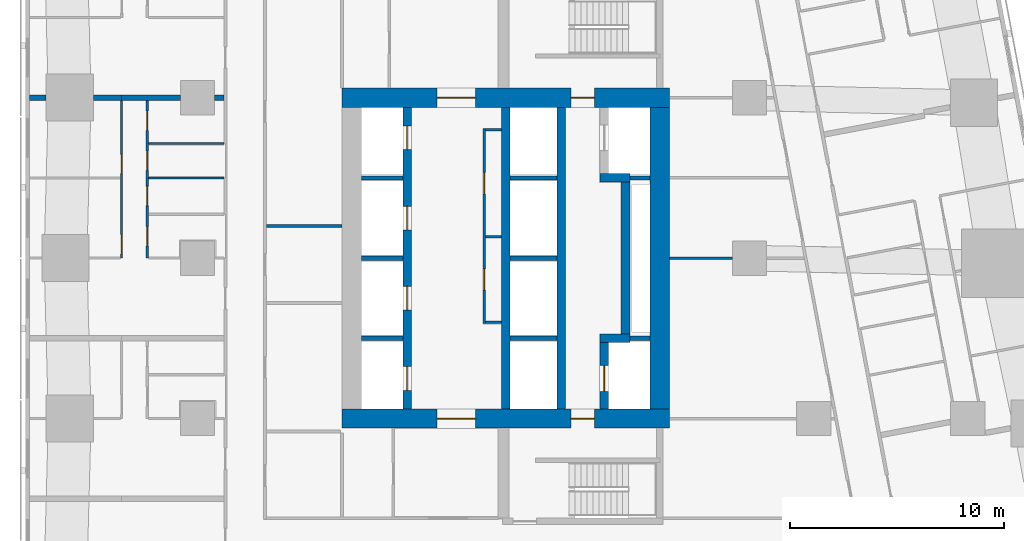
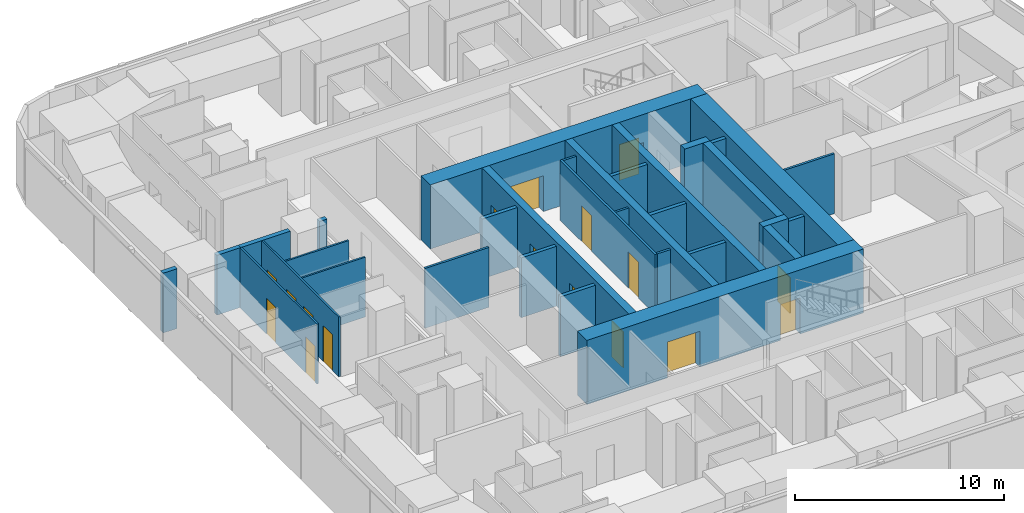
# One storey, part 6 of 16: 32 walls, 17 doors, 17 openings.
"""IFC4 building model written with IfcOpenShell, lengths in metres."""

from ifc_helpers import new_model, si_unit, direction, frame, frame_2d, origin, place, context, subcontext, project, spatial, rectangle, extrude, material, layer, layer_set, type_object, element, fill, save


model = new_model("IFC4")

# Units and contexts
model_context = context("Model", 3, precision=1e-05, world=origin(), true_north=direction((0.0, 1.0)))
body_context = subcontext(model_context, "Body", "Model", "MODEL_VIEW")
ifc_project = project(units=[si_unit("LENGTHUNIT", "METRE"), si_unit("AREAUNIT", "SQUARE_METRE"), si_unit("VOLUMEUNIT", "CUBIC_METRE"), si_unit("PLANEANGLEUNIT", "RADIAN"), si_unit("MASSUNIT", "GRAM", prefix="KILO")], contexts=[model_context])

# Site, building, storey
site_placement = place(None, origin())
site = spatial("IfcSite", under=ifc_project, at=site_placement, CompositionType="ELEMENT")
building_placement = place(site_placement, origin())
building = spatial("IfcBuilding", under=site, at=building_placement, Name="Sheger Commons Tower", CompositionType="ELEMENT")
storey_placement = place(building_placement, frame((0.0, 0.0, 92.89990234375)))
storey = spatial("IfcBuildingStorey", under=building, at=storey_placement, Name="L23", CompositionType="ELEMENT", Elevation=92.89990234375)

# Wall, openings, doors
ifc_material_1 = material(Name="Concrete C50/60", Category="concrete")
ifc_layer_1 = layer(ifc_material_1, 0.39990234375)
ifc_layer_set_1 = layer_set([ifc_layer_1], Name="CORE INNER WALL 400")
wall_type_1 = type_object("IfcWallType", Name="CORE INNER WALL 400", PredefinedType="SHEAR", material=ifc_layer_set_1)
wall_1_placement = place(storey_placement, frame((17.0, 15.449951171875, 0.0), z_axis=(0.0, 0.0, 1.0), x_axis=(0.0, 1.0, 0.0)))
wall_1 = element("IfcWall", 1, at=wall_1_placement, inside=storey, type_object=wall_type_1, Name="Core inner wall A L23", PredefinedType="SHEAR", context=body_context, shape_type="SweptSolid", body=[
    extrude(rectangle(XDim=14.10009765625, YDim=0.39990234375, at=frame_2d((7.050048828125, 0.0))), origin(), (0.0, 0.0, 1.0), 3.75),
])
opening_1_placement = place(wall_1_placement, frame((0.875, 0.0, 0.0)))
opening_1 = element("IfcOpeningElement", 2, at=opening_1_placement, cuts=wall_1, Name="Opening LD", PredefinedType="OPENING", context=body_context, shape_type="SweptSolid", body=[
    extrude(rectangle(XDim=1.10009765625, YDim=2.10009765625, at=frame_2d((0.550048828125, 1.050048828125))), frame((0.0, 0.2099609375, 0.0), z_axis=(0.0, -1.0, 0.0), x_axis=(1.0, 0.0, 0.0)), (0.0, 0.0, 1.0), 0.419921875),
])
opening_2_placement = place(wall_1_placement, frame((4.625, 0.0, 0.0)))
opening_2 = element("IfcOpeningElement", 3, at=opening_2_placement, cuts=wall_1, Name="Opening LD", PredefinedType="OPENING", context=body_context, shape_type="SweptSolid", body=[
    extrude(rectangle(XDim=1.10009765625, YDim=2.10009765625, at=frame_2d((0.550048828125, 1.050048828125))), frame((0.0, 0.2099609375, 0.0), z_axis=(0.0, -1.0, 0.0), x_axis=(1.0, 0.0, 0.0)), (0.0, 0.0, 1.0), 0.419921875),
])
opening_3_placement = place(wall_1_placement, frame((8.375, 0.0, 0.0)))
opening_3 = element("IfcOpeningElement", 4, at=opening_3_placement, cuts=wall_1, Name="Opening LD", PredefinedType="OPENING", context=body_context, shape_type="SweptSolid", body=[
    extrude(rectangle(XDim=1.10009765625, YDim=2.10009765625, at=frame_2d((0.550048828125, 1.050048828125))), frame((0.0, 0.2099609375, 0.0), z_axis=(0.0, -1.0, 0.0), x_axis=(1.0, 0.0, 0.0)), (0.0, 0.0, 1.0), 0.419921875),
])
opening_4_placement = place(wall_1_placement, frame((12.125, 0.0, 0.0)))
opening_4 = element("IfcOpeningElement", 5, at=opening_4_placement, cuts=wall_1, Name="Opening LD", PredefinedType="OPENING", context=body_context, shape_type="SweptSolid", body=[
    extrude(rectangle(XDim=1.10009765625, YDim=2.10009765625, at=frame_2d((0.550048828125, 1.050048828125))), frame((0.0, 0.2099609375, 0.0), z_axis=(0.0, -1.0, 0.0), x_axis=(1.0, 0.0, 0.0)), (0.0, 0.0, 1.0), 0.419921875),
])
ifc_material_2 = material(Name="Steel door set, fire rated", Category="steel")
door_type_1 = type_object("IfcDoorType", Name="LIFT LANDING DOOR 1100x2100", OperationType="DOUBLE_DOOR_SLIDING", PredefinedType="DOOR", material=ifc_material_2)
door_1_placement = place(opening_1_placement, origin())
door_1 = element("IfcDoor", 6, at=door_1_placement, inside=storey, type_object=door_type_1, Name="Lift LA1 landing door", OperationType="DOUBLE_DOOR_SLIDING", OverallHeight=2.10009765625, OverallWidth=1.10009765625, PredefinedType="DOOR", context=body_context, shape_type="SweptSolid", body=[
    extrude(rectangle(XDim=1.10009765625, YDim=2.10009765625, at=frame_2d((0.550048828125, 1.050048828125))), frame((0.0, 0.02490234375, 0.0), z_axis=(0.0, -1.0, 0.0), x_axis=(1.0, 0.0, 0.0)), (0.0, 0.0, 1.0), 0.050048828125),
])
fill(opening_1, door_1)
door_2_placement = place(opening_2_placement, origin())
door_2 = element("IfcDoor", 7, at=door_2_placement, inside=storey, type_object=door_type_1, Name="Lift LA2 landing door", OperationType="DOUBLE_DOOR_SLIDING", OverallHeight=2.10009765625, OverallWidth=1.10009765625, PredefinedType="DOOR", context=body_context, shape_type="SweptSolid", body=[
    extrude(rectangle(XDim=1.10009765625, YDim=2.10009765625, at=frame_2d((0.550048828125, 1.050048828125))), frame((0.0, 0.02490234375, 0.0), z_axis=(0.0, -1.0, 0.0), x_axis=(1.0, 0.0, 0.0)), (0.0, 0.0, 1.0), 0.050048828125),
])
fill(opening_2, door_2)
door_3_placement = place(opening_3_placement, origin())
door_3 = element("IfcDoor", 8, at=door_3_placement, inside=storey, type_object=door_type_1, Name="Lift LA3 landing door", OperationType="DOUBLE_DOOR_SLIDING", OverallHeight=2.10009765625, OverallWidth=1.10009765625, PredefinedType="DOOR", context=body_context, shape_type="SweptSolid", body=[
    extrude(rectangle(XDim=1.10009765625, YDim=2.10009765625, at=frame_2d((0.550048828125, 1.050048828125))), frame((0.0, 0.02490234375, 0.0), z_axis=(0.0, -1.0, 0.0), x_axis=(1.0, 0.0, 0.0)), (0.0, 0.0, 1.0), 0.050048828125),
])
fill(opening_3, door_3)
door_4_placement = place(opening_4_placement, origin())
door_4 = element("IfcDoor", 9, at=door_4_placement, inside=storey, type_object=door_type_1, Name="Lift LA4 landing door", OperationType="DOUBLE_DOOR_SLIDING", OverallHeight=2.10009765625, OverallWidth=1.10009765625, PredefinedType="DOOR", context=body_context, shape_type="SweptSolid", body=[
    extrude(rectangle(XDim=1.10009765625, YDim=2.10009765625, at=frame_2d((0.550048828125, 1.050048828125))), frame((0.0, 0.02490234375, 0.0), z_axis=(0.0, -1.0, 0.0), x_axis=(1.0, 0.0, 0.0)), (0.0, 0.0, 1.0), 0.050048828125),
])
fill(opening_4, door_4)

# Walls
for number, where, z_axis, x_axis, name in (
    (10, (21.60009765625, 15.449951171875, 0.0), (0.0, 0.0, 1.0), (0.0, 1.0, 0.0), "Core inner wall L L23"),
    (11, (24.199951171875, 15.449951171875, 0.0), (0.0, 0.0, 1.0), (0.0, 1.0, 0.0), "Core inner wall B L23"),
):
    element("IfcWall", number, at=place(storey_placement, frame(where, z_axis=z_axis, x_axis=x_axis)), inside=storey, type_object=wall_type_1, Name=name, PredefinedType="SHEAR", context=body_context, shape_type="SweptSolid", body=[
        extrude(rectangle(XDim=14.10009765625, YDim=0.39990234375, at=frame_2d((7.050048828125, 0.0))), origin(), (0.0, 0.0, 1.0), 3.75),
    ])

# Wall, opening, door
wall_2_placement = place(storey_placement, frame((26.199951171875, 15.449951171875, 0.0), z_axis=(0.0, 0.0, 1.0), x_axis=(0.0, 1.0, 0.0)))
wall_2 = element("IfcWall", 12, at=wall_2_placement, inside=storey, type_object=wall_type_1, Name="Core inner wall F L23", PredefinedType="SHEAR", context=body_context, shape_type="SweptSolid", body=[
    extrude(rectangle(XDim=3.10009765625, YDim=0.39990234375, at=frame_2d((1.550048828125, 0.0))), origin(), (0.0, 0.0, 1.0), 3.75),
])
opening_5_placement = place(wall_2_placement, frame((0.824951171875, 0.0, 0.0)))
opening_5 = element("IfcOpeningElement", 13, at=opening_5_placement, cuts=wall_2, Name="Opening LD2", PredefinedType="OPENING", context=body_context, shape_type="SweptSolid", body=[
    extrude(rectangle(XDim=1.199951171875, YDim=2.10009765625, at=frame_2d((0.60009765625, 1.050048828125))), frame((0.0, 0.2099609375, 0.0), z_axis=(0.0, -1.0, 0.0), x_axis=(1.0, 0.0, 0.0)), (0.0, 0.0, 1.0), 0.419921875),
])
ifc_material_3 = material(Name="Steel door set, fire rated", Category="steel")
door_type_2 = type_object("IfcDoorType", Name="FIREFIGHTING LIFT LANDING DOOR 1200x2100", OperationType="DOUBLE_DOOR_SLIDING", PredefinedType="DOOR", material=ifc_material_3)
door_5_placement = place(opening_5_placement, origin())
door_5 = element("IfcDoor", 14, at=door_5_placement, inside=storey, type_object=door_type_2, Name="Lift FL1 landing door", OperationType="DOUBLE_DOOR_SLIDING", OverallHeight=2.10009765625, OverallWidth=1.199951171875, PredefinedType="DOOR", context=body_context, shape_type="SweptSolid", body=[
    extrude(rectangle(XDim=1.199951171875, YDim=2.10009765625, at=frame_2d((0.60009765625, 1.050048828125))), frame((0.0, 0.02490234375, 0.0), z_axis=(0.0, -1.0, 0.0), x_axis=(1.0, 0.0, 0.0)), (0.0, 0.0, 1.0), 0.050048828125),
])
fill(opening_5, door_5)

# Walls
wall_3_placement = place(storey_placement, frame((26.0, 18.75, 0.0), z_axis=(0.0, 0.0, 1.0), x_axis=(1.0, 0.0, 0.0)))
element("IfcWall", 15, at=wall_3_placement, inside=storey, type_object=wall_type_1, Name="Core inner wall F south return L23", PredefinedType="SHEAR", context=body_context, shape_type="SweptSolid", body=[
    extrude(rectangle(XDim=1.39990234375, YDim=0.39990234375, at=frame_2d((0.699951171875, 0.0))), origin(), (0.0, 0.0, 1.0), 3.75),
])
wall_4_placement = place(storey_placement, frame((27.199951171875, 18.949951171875, 0.0), z_axis=(0.0, 0.0, 1.0), x_axis=(0.0, 1.0, 0.0)))
element("IfcWall", 16, at=wall_4_placement, inside=storey, type_object=wall_type_1, Name="Core inner wall F middle L23", PredefinedType="SHEAR", context=body_context, shape_type="SweptSolid", body=[
    extrude(rectangle(XDim=7.10009765625, YDim=0.39990234375, at=frame_2d((3.550048828125, 0.0))), origin(), (0.0, 0.0, 1.0), 3.75),
])
wall_5_placement = place(storey_placement, frame((26.0, 26.25, 0.0), z_axis=(0.0, 0.0, 1.0), x_axis=(1.0, 0.0, 0.0)))
element("IfcWall", 17, at=wall_5_placement, inside=storey, type_object=wall_type_1, Name="Core inner wall F north return L23", PredefinedType="SHEAR", context=body_context, shape_type="SweptSolid", body=[
    extrude(rectangle(XDim=1.39990234375, YDim=0.39990234375, at=frame_2d((0.699951171875, 0.0))), origin(), (0.0, 0.0, 1.0), 3.75),
])

# Wall, openings, doors
ifc_material_4 = material(Name="Concrete C50/60", Category="concrete")
ifc_layer_2 = layer(ifc_material_4, 0.89990234375)
ifc_layer_set_2 = layer_set([ifc_layer_2], Name="CORE WALL 900")
wall_type_2 = type_object("IfcWallType", Name="CORE WALL 900", PredefinedType="SHEAR", material=ifc_layer_set_2)
wall_6_placement = place(storey_placement, frame((13.949951171875, 15.0, 0.0), z_axis=(0.0, 0.0, 1.0), x_axis=(1.0, 0.0, 0.0)))
wall_6 = element("IfcWall", 18, at=wall_6_placement, inside=storey, type_object=wall_type_2, Name="Core wall south L23", PredefinedType="SHEAR", context=body_context, shape_type="SweptSolid", body=[
    extrude(rectangle(XDim=15.300048828125, YDim=0.89990234375, at=frame_2d((7.64990234375, 0.0))), origin(), (0.0, 0.0, 1.0), 3.75),
])
opening_6_placement = place(wall_6_placement, frame((4.449951171875, 0.0, 0.0)))
opening_6 = element("IfcOpeningElement", 19, at=opening_6_placement, cuts=wall_6, Name="Opening D6", PredefinedType="OPENING", context=body_context, shape_type="SweptSolid", body=[
    extrude(rectangle(XDim=1.800048828125, YDim=2.10009765625, at=frame_2d((0.89990234375, 1.050048828125))), frame((0.0, 0.4599609375, 0.0), z_axis=(0.0, -1.0, 0.0), x_axis=(1.0, 0.0, 0.0)), (0.0, 0.0, 1.0), 0.919921875),
])
opening_7_placement = place(wall_6_placement, frame((10.699951171875, 0.0, 0.0)))
opening_7 = element("IfcOpeningElement", 20, at=opening_7_placement, cuts=wall_6, Name="Opening D5", PredefinedType="OPENING", context=body_context, shape_type="SweptSolid", body=[
    extrude(rectangle(XDim=1.10009765625, YDim=2.10009765625, at=frame_2d((0.550048828125, 1.050048828125))), frame((0.0, 0.4599609375, 0.0), z_axis=(0.0, -1.0, 0.0), x_axis=(1.0, 0.0, 0.0)), (0.0, 0.0, 1.0), 0.919921875),
])
ifc_material_5 = material(Name="Steel door set, fire rated", Category="steel")
door_type_3 = type_object("IfcDoorType", Name="LOBBY DOUBLE DOOR 1800x2100", OperationType="DOUBLE_DOOR_SINGLE_SWING", PredefinedType="DOOR", material=ifc_material_5)
door_6_placement = place(opening_6_placement, origin())
door_6 = element("IfcDoor", 21, at=door_6_placement, inside=storey, type_object=door_type_3, Name="Lift lobby door", OperationType="DOUBLE_DOOR_SINGLE_SWING", OverallHeight=2.10009765625, OverallWidth=1.800048828125, PredefinedType="DOOR", context=body_context, shape_type="SweptSolid", body=[
    extrude(rectangle(XDim=1.800048828125, YDim=2.10009765625, at=frame_2d((0.89990234375, 1.050048828125))), frame((0.0, 0.02490234375, 0.0), z_axis=(0.0, -1.0, 0.0), x_axis=(1.0, 0.0, 0.0)), (0.0, 0.0, 1.0), 0.050048828125),
])
fill(opening_6, door_6)
ifc_material_6 = material(Name="Steel door set, fire rated", Category="steel")
door_type_4 = type_object("IfcDoorType", Name="STAIR DOOR 1100x2100", OperationType="NOTDEFINED", PredefinedType="DOOR", material=ifc_material_6)
door_7_placement = place(opening_7_placement, origin())
door_7 = element("IfcDoor", 22, at=door_7_placement, inside=storey, type_object=door_type_4, Name="Fire-fighting lobby door", OperationType="SINGLE_SWING_LEFT", OverallHeight=2.10009765625, OverallWidth=1.10009765625, PredefinedType="DOOR", context=body_context, shape_type="SweptSolid", body=[
    extrude(rectangle(XDim=1.10009765625, YDim=2.10009765625, at=frame_2d((0.550048828125, 1.050048828125))), frame((0.0, 0.02490234375, 0.0), z_axis=(0.0, -1.0, 0.0), x_axis=(1.0, 0.0, 0.0)), (0.0, 0.0, 1.0), 0.050048828125),
])
fill(opening_7, door_7)

wall_7_placement = place(storey_placement, frame((13.949951171875, 30.0, 0.0), z_axis=(0.0, 0.0, 1.0), x_axis=(1.0, 0.0, 0.0)))
wall_7 = element("IfcWall", 23, at=wall_7_placement, inside=storey, type_object=wall_type_2, Name="Core wall north L23", PredefinedType="SHEAR", context=body_context, shape_type="SweptSolid", body=[
    extrude(rectangle(XDim=15.300048828125, YDim=0.89990234375, at=frame_2d((7.64990234375, 0.0))), origin(), (0.0, 0.0, 1.0), 3.75),
])
opening_8_placement = place(wall_7_placement, frame((4.449951171875, 0.0, 0.0)))
opening_8 = element("IfcOpeningElement", 24, at=opening_8_placement, cuts=wall_7, Name="Opening D6", PredefinedType="OPENING", context=body_context, shape_type="SweptSolid", body=[
    extrude(rectangle(XDim=1.800048828125, YDim=2.10009765625, at=frame_2d((0.89990234375, 1.050048828125))), frame((0.0, 0.4599609375, 0.0), z_axis=(0.0, -1.0, 0.0), x_axis=(1.0, 0.0, 0.0)), (0.0, 0.0, 1.0), 0.919921875),
])
opening_9_placement = place(wall_7_placement, frame((10.699951171875, 0.0, 0.0)))
opening_9 = element("IfcOpeningElement", 25, at=opening_9_placement, cuts=wall_7, Name="Opening D5", PredefinedType="OPENING", context=body_context, shape_type="SweptSolid", body=[
    extrude(rectangle(XDim=1.10009765625, YDim=2.10009765625, at=frame_2d((0.550048828125, 1.050048828125))), frame((0.0, 0.4599609375, 0.0), z_axis=(0.0, -1.0, 0.0), x_axis=(1.0, 0.0, 0.0)), (0.0, 0.0, 1.0), 0.919921875),
])
door_8_placement = place(opening_8_placement, origin())
door_8 = element("IfcDoor", 26, at=door_8_placement, inside=storey, type_object=door_type_3, Name="Lift lobby door", OperationType="DOUBLE_DOOR_SINGLE_SWING", OverallHeight=2.10009765625, OverallWidth=1.800048828125, PredefinedType="DOOR", context=body_context, shape_type="SweptSolid", body=[
    extrude(rectangle(XDim=1.800048828125, YDim=2.10009765625, at=frame_2d((0.89990234375, 1.050048828125))), frame((0.0, 0.02490234375, 0.0), z_axis=(0.0, -1.0, 0.0), x_axis=(1.0, 0.0, 0.0)), (0.0, 0.0, 1.0), 0.050048828125),
])
fill(opening_8, door_8)
door_9_placement = place(opening_9_placement, origin())
door_9 = element("IfcDoor", 27, at=door_9_placement, inside=storey, type_object=door_type_4, Name="Fire-fighting lobby door", OperationType="SINGLE_SWING_LEFT", OverallHeight=2.10009765625, OverallWidth=1.10009765625, PredefinedType="DOOR", context=body_context, shape_type="SweptSolid", body=[
    extrude(rectangle(XDim=1.10009765625, YDim=2.10009765625, at=frame_2d((0.550048828125, 1.050048828125))), frame((0.0, 0.02490234375, 0.0), z_axis=(0.0, -1.0, 0.0), x_axis=(1.0, 0.0, 0.0)), (0.0, 0.0, 1.0), 0.050048828125),
])
fill(opening_9, door_9)

# Walls
wall_8_placement = place(storey_placement, frame((28.800048828125, 15.449951171875, 0.0), z_axis=(0.0, 0.0, 1.0), x_axis=(0.0, 1.0, 0.0)))
element("IfcWall", 28, at=wall_8_placement, inside=storey, type_object=wall_type_2, Name="Core wall east L23", PredefinedType="SHEAR", context=body_context, shape_type="SweptSolid", body=[
    extrude(rectangle(XDim=14.10009765625, YDim=0.89990234375, at=frame_2d((7.050048828125, 0.0))), origin(), (0.0, 0.0, 1.0), 3.75),
])
ifc_material_7 = material(Name="Dense concrete block masonry, plastered both sides (separating wall between flats)", Category="masonry")
ifc_layer_3 = layer(ifc_material_7, 0.25)
ifc_layer_set_3 = layer_set([ifc_layer_3], Name="DEMISING WALL 250")
wall_type_3 = type_object("IfcWallType", Name="DEMISING WALL 250", PredefinedType="SOLIDWALL", material=ifc_layer_set_3)
wall_9_placement = place(storey_placement, frame((-0.64990234375, 30.0, 0.0), z_axis=(0.0, 0.0, 1.0), x_axis=(1.0, 0.0, 0.0)))
element("IfcWall", 29, at=wall_9_placement, inside=storey, type_object=wall_type_3, Name="Demising wall L23", PredefinedType="SOLIDWALL", context=body_context, shape_type="SweptSolid", body=[
    extrude(rectangle(XDim=0.77392578125, YDim=0.25, at=frame_2d((0.386962890625, 0.0))), origin(), (0.0, 0.0, 1.0), 3.5),
])
wall_10_placement = place(storey_placement, frame((2.325927734375, 30.0, 0.0), z_axis=(0.0, 0.0, 1.0), x_axis=(1.0, 0.0, 0.0)))
element("IfcWall", 30, at=wall_10_placement, inside=storey, type_object=wall_type_3, Name="Demising wall L23", PredefinedType="SOLIDWALL", context=body_context, shape_type="SweptSolid", body=[
    extrude(rectangle(XDim=1.323974609375, YDim=0.25, at=frame_2d((0.662109375, 0.0))), origin(), (0.0, 0.0, 1.0), 3.5),
])
wall_11_placement = place(storey_placement, frame((3.64990234375, 30.0, 0.0), z_axis=(0.0, 0.0, 1.0), x_axis=(1.0, 0.0, 0.0)))
element("IfcWall", 31, at=wall_11_placement, inside=storey, type_object=wall_type_3, Name="Demising wall L23", PredefinedType="SOLIDWALL", context=body_context, shape_type="SweptSolid", body=[
    extrude(rectangle(XDim=2.7490234375, YDim=0.25, at=frame_2d((1.37451171875, 0.0))), origin(), (0.0, 0.0, 1.0), 3.5),
])
wall_12_placement = place(storey_placement, frame((8.0009765625, 30.0, 0.0), z_axis=(0.0, 0.0, 1.0), x_axis=(1.0, 0.0, 0.0)))
element("IfcWall", 32, at=wall_12_placement, inside=storey, type_object=wall_type_3, Name="Demising wall L23", PredefinedType="SOLIDWALL", context=body_context, shape_type="SweptSolid", body=[
    extrude(rectangle(XDim=0.424072265625, YDim=0.25, at=frame_2d((0.2119140625, 0.0))), origin(), (0.0, 0.0, 1.0), 3.5),
])

# Wall, openings, doors
ifc_material_8 = material(Name="Gypsum board on steel studs", Category="steel")
ifc_layer_4 = layer(ifc_material_8, 0.10009765625)
ifc_layer_set_4 = layer_set([ifc_layer_4], Name="PARTITION 100")
wall_type_4 = type_object("IfcWallType", Name="PARTITION 100", PredefinedType="PARTITIONING", material=ifc_layer_set_4)
wall_13_placement = place(storey_placement, frame((3.64990234375, 22.5, 0.0), z_axis=(0.0, 0.0, 1.0), x_axis=(0.0, 1.0, 0.0)))
wall_13 = element("IfcWall", 33, at=wall_13_placement, inside=storey, type_object=wall_type_4, Name="Partition L23", PredefinedType="PARTITIONING", context=body_context, shape_type="SweptSolid", body=[
    extrude(rectangle(XDim=7.375, YDim=0.10009765625, at=frame_2d((3.6875, 0.0))), origin(), (0.0, 0.0, 1.0), 3.5),
])
opening_10_placement = place(wall_13_placement, frame((0.199951171875, 0.0, 0.0)))
opening_10 = element("IfcOpeningElement", 34, at=opening_10_placement, cuts=wall_13, Name="Opening D2", PredefinedType="OPENING", context=body_context, shape_type="SweptSolid", body=[
    extrude(rectangle(XDim=0.89990234375, YDim=2.10009765625, at=frame_2d((0.449951171875, 1.050048828125))), frame((0.0, 0.06005859375, 0.0), z_axis=(0.0, -1.0, 0.0), x_axis=(1.0, 0.0, 0.0)), (0.0, 0.0, 1.0), 0.1201171875),
])
opening_11_placement = place(wall_13_placement, frame((3.949951171875, 0.0, 0.0)))
opening_11 = element("IfcOpeningElement", 35, at=opening_11_placement, cuts=wall_13, Name="Opening D2", PredefinedType="OPENING", context=body_context, shape_type="SweptSolid", body=[
    extrude(rectangle(XDim=0.89990234375, YDim=2.10009765625, at=frame_2d((0.449951171875, 1.050048828125))), frame((0.0, 0.06005859375, 0.0), z_axis=(0.0, -1.0, 0.0), x_axis=(1.0, 0.0, 0.0)), (0.0, 0.0, 1.0), 0.1201171875),
])
ifc_material_9 = material(Name="Timber door set", Category="wood")
door_type_5 = type_object("IfcDoorType", Name="INTERNAL DOOR 900x2100", OperationType="NOTDEFINED", PredefinedType="DOOR", material=ifc_material_9)
door_10_placement = place(opening_10_placement, origin())
door_10 = element("IfcDoor", 36, at=door_10_placement, inside=storey, type_object=door_type_5, Name="Main bedroom door", OperationType="SINGLE_SWING_LEFT", OverallHeight=2.10009765625, OverallWidth=0.89990234375, PredefinedType="DOOR", context=body_context, shape_type="SweptSolid", body=[
    extrude(rectangle(XDim=0.89990234375, YDim=2.10009765625, at=frame_2d((0.449951171875, 1.050048828125))), frame((0.0, 0.02490234375, 0.0), z_axis=(0.0, -1.0, 0.0), x_axis=(1.0, 0.0, 0.0)), (0.0, 0.0, 1.0), 0.050048828125),
])
fill(opening_10, door_10)
door_11_placement = place(opening_11_placement, origin())
door_11 = element("IfcDoor", 37, at=door_11_placement, inside=storey, type_object=door_type_5, Name="Bedroom 2 door", OperationType="SINGLE_SWING_LEFT", OverallHeight=2.10009765625, OverallWidth=0.89990234375, PredefinedType="DOOR", context=body_context, shape_type="SweptSolid", body=[
    extrude(rectangle(XDim=0.89990234375, YDim=2.10009765625, at=frame_2d((0.449951171875, 1.050048828125))), frame((0.0, 0.02490234375, 0.0), z_axis=(0.0, -1.0, 0.0), x_axis=(1.0, 0.0, 0.0)), (0.0, 0.0, 1.0), 0.050048828125),
])
fill(opening_11, door_11)

wall_14_placement = place(storey_placement, frame((4.85009765625, 22.5, 0.0), z_axis=(0.0, 0.0, 1.0), x_axis=(0.0, 1.0, 0.0)))
wall_14 = element("IfcWall", 38, at=wall_14_placement, inside=storey, type_object=wall_type_4, Name="Partition L23", PredefinedType="PARTITIONING", context=body_context, shape_type="SweptSolid", body=[
    extrude(rectangle(XDim=7.375, YDim=0.10009765625, at=frame_2d((3.6875, 0.0))), origin(), (0.0, 0.0, 1.0), 3.5),
])
opening_12_placement = place(wall_14_placement, frame((0.574951171875, 0.0, 0.0)))
opening_12 = element("IfcOpeningElement", 39, at=opening_12_placement, cuts=wall_14, Name="Opening D2", PredefinedType="OPENING", context=body_context, shape_type="SweptSolid", body=[
    extrude(rectangle(XDim=0.89990234375, YDim=2.10009765625, at=frame_2d((0.449951171875, 1.050048828125))), frame((0.0, 0.06005859375, 0.0), z_axis=(0.0, -1.0, 0.0), x_axis=(1.0, 0.0, 0.0)), (0.0, 0.0, 1.0), 0.1201171875),
])
opening_13_placement = place(wall_14_placement, frame((4.10009765625, 0.0, 0.0)))
opening_13 = element("IfcOpeningElement", 40, at=opening_13_placement, cuts=wall_14, Name="Opening D2", PredefinedType="OPENING", context=body_context, shape_type="SweptSolid", body=[
    extrude(rectangle(XDim=0.89990234375, YDim=2.10009765625, at=frame_2d((0.449951171875, 1.050048828125))), frame((0.0, 0.06005859375, 0.0), z_axis=(0.0, -1.0, 0.0), x_axis=(1.0, 0.0, 0.0)), (0.0, 0.0, 1.0), 0.1201171875),
])
opening_14_placement = place(wall_14_placement, frame((2.449951171875, 0.0, 0.0)))
opening_14 = element("IfcOpeningElement", 41, at=opening_14_placement, cuts=wall_14, Name="Opening D2", PredefinedType="OPENING", context=body_context, shape_type="SweptSolid", body=[
    extrude(rectangle(XDim=0.89990234375, YDim=2.10009765625, at=frame_2d((0.449951171875, 1.050048828125))), frame((0.0, 0.06005859375, 0.0), z_axis=(0.0, -1.0, 0.0), x_axis=(1.0, 0.0, 0.0)), (0.0, 0.0, 1.0), 0.1201171875),
])
opening_15_placement = place(wall_14_placement, frame((5.97509765625, 0.0, 0.0)))
opening_15 = element("IfcOpeningElement", 42, at=opening_15_placement, cuts=wall_14, Name="Opening D2", PredefinedType="OPENING", context=body_context, shape_type="SweptSolid", body=[
    extrude(rectangle(XDim=0.89990234375, YDim=2.10009765625, at=frame_2d((0.449951171875, 1.050048828125))), frame((0.0, 0.06005859375, 0.0), z_axis=(0.0, -1.0, 0.0), x_axis=(1.0, 0.0, 0.0)), (0.0, 0.0, 1.0), 0.1201171875),
])
door_12_placement = place(opening_12_placement, origin())
door_12 = element("IfcDoor", 43, at=door_12_placement, inside=storey, type_object=door_type_5, Name="Bathroom door", OperationType="SINGLE_SWING_RIGHT", OverallHeight=2.10009765625, OverallWidth=0.89990234375, PredefinedType="DOOR", context=body_context, shape_type="SweptSolid", body=[
    extrude(rectangle(XDim=0.89990234375, YDim=2.10009765625, at=frame_2d((0.449951171875, 1.050048828125))), frame((0.0, 0.02490234375, 0.0), z_axis=(0.0, -1.0, 0.0), x_axis=(1.0, 0.0, 0.0)), (0.0, 0.0, 1.0), 0.050048828125),
])
fill(opening_12, door_12)
door_13_placement = place(opening_13_placement, origin())
door_13 = element("IfcDoor", 44, at=door_13_placement, inside=storey, type_object=door_type_5, Name="Shower room door", OperationType="SINGLE_SWING_RIGHT", OverallHeight=2.10009765625, OverallWidth=0.89990234375, PredefinedType="DOOR", context=body_context, shape_type="SweptSolid", body=[
    extrude(rectangle(XDim=0.89990234375, YDim=2.10009765625, at=frame_2d((0.449951171875, 1.050048828125))), frame((0.0, 0.02490234375, 0.0), z_axis=(0.0, -1.0, 0.0), x_axis=(1.0, 0.0, 0.0)), (0.0, 0.0, 1.0), 0.050048828125),
])
fill(opening_13, door_13)
door_14_placement = place(opening_14_placement, origin())
door_14 = element("IfcDoor", 45, at=door_14_placement, inside=storey, type_object=door_type_5, Name="Store door", OperationType="SINGLE_SWING_RIGHT", OverallHeight=2.10009765625, OverallWidth=0.89990234375, PredefinedType="DOOR", context=body_context, shape_type="SweptSolid", body=[
    extrude(rectangle(XDim=0.89990234375, YDim=2.10009765625, at=frame_2d((0.449951171875, 1.050048828125))), frame((0.0, 0.02490234375, 0.0), z_axis=(0.0, -1.0, 0.0), x_axis=(1.0, 0.0, 0.0)), (0.0, 0.0, 1.0), 0.050048828125),
])
fill(opening_14, door_14)
door_15_placement = place(opening_15_placement, origin())
door_15 = element("IfcDoor", 46, at=door_15_placement, inside=storey, type_object=door_type_5, Name="Store door", OperationType="SINGLE_SWING_LEFT", OverallHeight=2.10009765625, OverallWidth=0.89990234375, PredefinedType="DOOR", context=body_context, shape_type="SweptSolid", body=[
    extrude(rectangle(XDim=0.89990234375, YDim=2.10009765625, at=frame_2d((0.449951171875, 1.050048828125))), frame((0.0, 0.02490234375, 0.0), z_axis=(0.0, -1.0, 0.0), x_axis=(1.0, 0.0, 0.0)), (0.0, 0.0, 1.0), 0.050048828125),
])
fill(opening_15, door_15)

# Walls
for number, where, z_axis, x_axis, name in (
    (47, (4.89990234375, 26.25, 0.0), (0.0, 0.0, 1.0), (1.0, 0.0, 0.0), "Partition L23"),
    (48, (4.89990234375, 27.85009765625, 0.0), (0.0, 0.0, 1.0), (1.0, 0.0, 0.0), "Partition L23"),
):
    element("IfcWall", number, at=place(storey_placement, frame(where, z_axis=z_axis, x_axis=x_axis)), inside=storey, type_object=wall_type_4, Name=name, PredefinedType="PARTITIONING", context=body_context, shape_type="SweptSolid", body=[
        extrude(rectangle(XDim=3.525146484375, YDim=0.10009765625, at=frame_2d((1.7626953125, 0.0))), origin(), (0.0, 0.0, 1.0), 3.5),
    ])
ifc_material_10 = material(Name="Gypsum board on steel studs, two layers each side, fire rated", Category="steel")
ifc_layer_5 = layer(ifc_material_10, 0.125)
ifc_layer_set_5 = layer_set([ifc_layer_5], Name="SERVICE WALL 125")
wall_type_5 = type_object("IfcWallType", Name="SERVICE WALL 125", PredefinedType="PARTITIONING", material=ifc_layer_set_5)
wall_15_placement = place(storey_placement, frame((10.4130859375, 24.0, 0.0), z_axis=(0.0, 0.0, 1.0), x_axis=(1.0, 0.0, 0.0)))
element("IfcWall", 49, at=wall_15_placement, inside=storey, type_object=wall_type_5, Name="Service room wall L23", PredefinedType="PARTITIONING", context=body_context, shape_type="SweptSolid", body=[
    extrude(rectangle(XDim=3.536865234375, YDim=0.125, at=frame_2d((1.7685546875, 0.0))), origin(), (0.0, 0.0, 1.0), 3.5),
])
wall_16_placement = place(storey_placement, frame((29.25, 22.5, 0.0), z_axis=(0.0, 0.0, 1.0), x_axis=(1.0, 0.0, 0.0)))
element("IfcWall", 50, at=wall_16_placement, inside=storey, type_object=wall_type_5, Name="Service room wall L23", PredefinedType="PARTITIONING", context=body_context, shape_type="SweptSolid", body=[
    extrude(rectangle(XDim=2.948974609375, YDim=0.125, at=frame_2d((1.474609375, 0.0))), origin(), (0.0, 0.0, 1.0), 3.5),
])

# Wall, openings, doors
wall_17_placement = place(storey_placement, frame((20.60009765625, 19.43798828125, 0.0), z_axis=(0.0, 0.0, 1.0), x_axis=(0.0, 1.0, 0.0)))
wall_17 = element("IfcWall", 51, at=wall_17_placement, inside=storey, type_object=wall_type_5, Name="Service room wall L23", PredefinedType="PARTITIONING", context=body_context, shape_type="SweptSolid", body=[
    extrude(rectangle(XDim=9.1240234375, YDim=0.125, at=frame_2d((4.56201171875, 0.0))), origin(), (0.0, 0.0, 1.0), 3.5),
])
opening_16_placement = place(wall_17_placement, frame((1.56201171875, 0.0, 0.0)))
opening_16 = element("IfcOpeningElement", 52, at=opening_16_placement, cuts=wall_17, Name="Opening D4", PredefinedType="OPENING", context=body_context, shape_type="SweptSolid", body=[
    extrude(rectangle(XDim=1.0, YDim=2.10009765625, at=frame_2d((0.5, 1.050048828125))), frame((0.0, 0.072509765625, 0.0), z_axis=(0.0, -1.0, 0.0), x_axis=(1.0, 0.0, 0.0)), (0.0, 0.0, 1.0), 0.14501953125),
])
opening_17_placement = place(wall_17_placement, frame((6.06201171875, 0.0, 0.0)))
opening_17 = element("IfcOpeningElement", 53, at=opening_17_placement, cuts=wall_17, Name="Opening D4", PredefinedType="OPENING", context=body_context, shape_type="SweptSolid", body=[
    extrude(rectangle(XDim=1.0, YDim=2.10009765625, at=frame_2d((0.5, 1.050048828125))), frame((0.0, 0.072509765625, 0.0), z_axis=(0.0, -1.0, 0.0), x_axis=(1.0, 0.0, 0.0)), (0.0, 0.0, 1.0), 0.14501953125),
])
ifc_material_11 = material(Name="Steel door set, fire rated", Category="steel")
door_type_6 = type_object("IfcDoorType", Name="SERVICE DOOR 1000x2100", OperationType="NOTDEFINED", PredefinedType="DOOR", material=ifc_material_11)
door_16_placement = place(opening_16_placement, origin())
door_16 = element("IfcDoor", 54, at=door_16_placement, inside=storey, type_object=door_type_6, Name="Housekeeping cupboard door", OperationType="SINGLE_SWING_LEFT", OverallHeight=2.10009765625, OverallWidth=1.0, PredefinedType="DOOR", context=body_context, shape_type="SweptSolid", body=[
    extrude(rectangle(XDim=1.0, YDim=2.10009765625, at=frame_2d((0.5, 1.050048828125))), frame((0.0, 0.02490234375, 0.0), z_axis=(0.0, -1.0, 0.0), x_axis=(1.0, 0.0, 0.0)), (0.0, 0.0, 1.0), 0.050048828125),
])
fill(opening_16, door_16)
door_17_placement = place(opening_17_placement, origin())
door_17 = element("IfcDoor", 55, at=door_17_placement, inside=storey, type_object=door_type_6, Name="Water meter cupboard door", OperationType="SINGLE_SWING_RIGHT", OverallHeight=2.10009765625, OverallWidth=1.0, PredefinedType="DOOR", context=body_context, shape_type="SweptSolid", body=[
    extrude(rectangle(XDim=1.0, YDim=2.10009765625, at=frame_2d((0.5, 1.050048828125))), frame((0.0, 0.02490234375, 0.0), z_axis=(0.0, -1.0, 0.0), x_axis=(1.0, 0.0, 0.0)), (0.0, 0.0, 1.0), 0.050048828125),
])
fill(opening_17, door_17)

# Walls
for number, where, z_axis, x_axis, name in (
    (56, (20.6630859375, 19.5, 0.0), (0.0, 0.0, 1.0), (1.0, 0.0, 0.0), "Service room wall L23"),
    (57, (20.6630859375, 28.5, 0.0), (0.0, 0.0, 1.0), (1.0, 0.0, 0.0), "Service room wall L23"),
    (58, (20.6630859375, 23.5, 0.0), (0.0, 0.0, 1.0), (1.0, 0.0, 0.0), "Service room wall L23"),
):
    element("IfcWall", number, at=place(storey_placement, frame(where, z_axis=z_axis, x_axis=x_axis)), inside=storey, type_object=wall_type_5, Name=name, PredefinedType="PARTITIONING", context=body_context, shape_type="SweptSolid", body=[
        extrude(rectangle(XDim=0.73681640625, YDim=0.125, at=frame_2d((0.368408203125, 0.0))), origin(), (0.0, 0.0, 1.0), 3.5),
    ])
ifc_material_12 = material(Name="Hollow concrete block masonry", Category="masonry")
ifc_layer_6 = layer(ifc_material_12, 0.199951171875)
ifc_layer_set_6 = layer_set([ifc_layer_6], Name="SHAFT WALL 200")
wall_type_6 = type_object("IfcWallType", Name="SHAFT WALL 200", PredefinedType="SOLIDWALL", material=ifc_layer_set_6)
wall_18_placement = place(storey_placement, frame((14.85009765625, 18.75, 0.0), z_axis=(0.0, 0.0, 1.0), x_axis=(1.0, 0.0, 0.0)))
element("IfcWall", 59, at=wall_18_placement, inside=storey, type_object=wall_type_6, Name="Lift shaft wall L23", PredefinedType="SOLIDWALL", context=body_context, shape_type="SweptSolid", body=[
    extrude(rectangle(XDim=1.949951171875, YDim=0.199951171875, at=frame_2d((0.97509765625, 0.0))), origin(), (0.0, 0.0, 1.0), 3.5),
])
wall_19_placement = place(storey_placement, frame((21.800048828125, 18.75, 0.0), z_axis=(0.0, 0.0, 1.0), x_axis=(1.0, 0.0, 0.0)))
element("IfcWall", 60, at=wall_19_placement, inside=storey, type_object=wall_type_6, Name="Lift shaft wall L23", PredefinedType="SOLIDWALL", context=body_context, shape_type="SweptSolid", body=[
    extrude(rectangle(XDim=2.199951171875, YDim=0.199951171875, at=frame_2d((1.10009765625, 0.0))), origin(), (0.0, 0.0, 1.0), 3.5),
])
wall_20_placement = place(storey_placement, frame((14.85009765625, 22.5, 0.0), z_axis=(0.0, 0.0, 1.0), x_axis=(1.0, 0.0, 0.0)))
element("IfcWall", 61, at=wall_20_placement, inside=storey, type_object=wall_type_6, Name="Lift shaft wall L23", PredefinedType="SOLIDWALL", context=body_context, shape_type="SweptSolid", body=[
    extrude(rectangle(XDim=1.949951171875, YDim=0.199951171875, at=frame_2d((0.97509765625, 0.0))), origin(), (0.0, 0.0, 1.0), 3.5),
])
wall_21_placement = place(storey_placement, frame((21.800048828125, 22.5, 0.0), z_axis=(0.0, 0.0, 1.0), x_axis=(1.0, 0.0, 0.0)))
element("IfcWall", 62, at=wall_21_placement, inside=storey, type_object=wall_type_6, Name="Lift shaft wall L23", PredefinedType="SOLIDWALL", context=body_context, shape_type="SweptSolid", body=[
    extrude(rectangle(XDim=2.199951171875, YDim=0.199951171875, at=frame_2d((1.10009765625, 0.0))), origin(), (0.0, 0.0, 1.0), 3.5),
])
wall_22_placement = place(storey_placement, frame((14.85009765625, 26.25, 0.0), z_axis=(0.0, 0.0, 1.0), x_axis=(1.0, 0.0, 0.0)))
element("IfcWall", 63, at=wall_22_placement, inside=storey, type_object=wall_type_6, Name="Lift shaft wall L23", PredefinedType="SOLIDWALL", context=body_context, shape_type="SweptSolid", body=[
    extrude(rectangle(XDim=1.949951171875, YDim=0.199951171875, at=frame_2d((0.97509765625, 0.0))), origin(), (0.0, 0.0, 1.0), 3.5),
])
wall_23_placement = place(storey_placement, frame((21.800048828125, 26.25, 0.0), z_axis=(0.0, 0.0, 1.0), x_axis=(1.0, 0.0, 0.0)))
element("IfcWall", 64, at=wall_23_placement, inside=storey, type_object=wall_type_6, Name="Lift shaft wall L23", PredefinedType="SOLIDWALL", context=body_context, shape_type="SweptSolid", body=[
    extrude(rectangle(XDim=2.199951171875, YDim=0.199951171875, at=frame_2d((1.10009765625, 0.0))), origin(), (0.0, 0.0, 1.0), 3.5),
])
for number, where, z_axis, x_axis, name in (
    (65, (27.39990234375, 18.75, 0.0), (0.0, 0.0, 1.0), (1.0, 0.0, 0.0), "Lift shaft wall L23"),
    (66, (27.39990234375, 26.25, 0.0), (0.0, 0.0, 1.0), (1.0, 0.0, 0.0), "Lift shaft wall L23"),
):
    element("IfcWall", number, at=place(storey_placement, frame(where, z_axis=z_axis, x_axis=x_axis)), inside=storey, type_object=wall_type_6, Name=name, PredefinedType="SOLIDWALL", context=body_context, shape_type="SweptSolid", body=[
        extrude(rectangle(XDim=0.9501953125, YDim=0.199951171875, at=frame_2d((0.47509765625, 0.0))), origin(), (0.0, 0.0, 1.0), 3.5),
    ])

save(model, "model.ifc")
